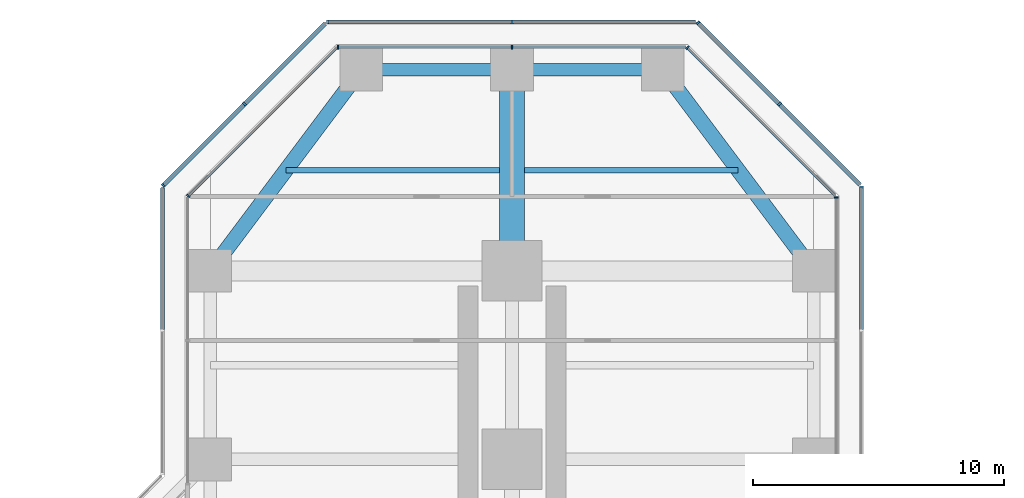
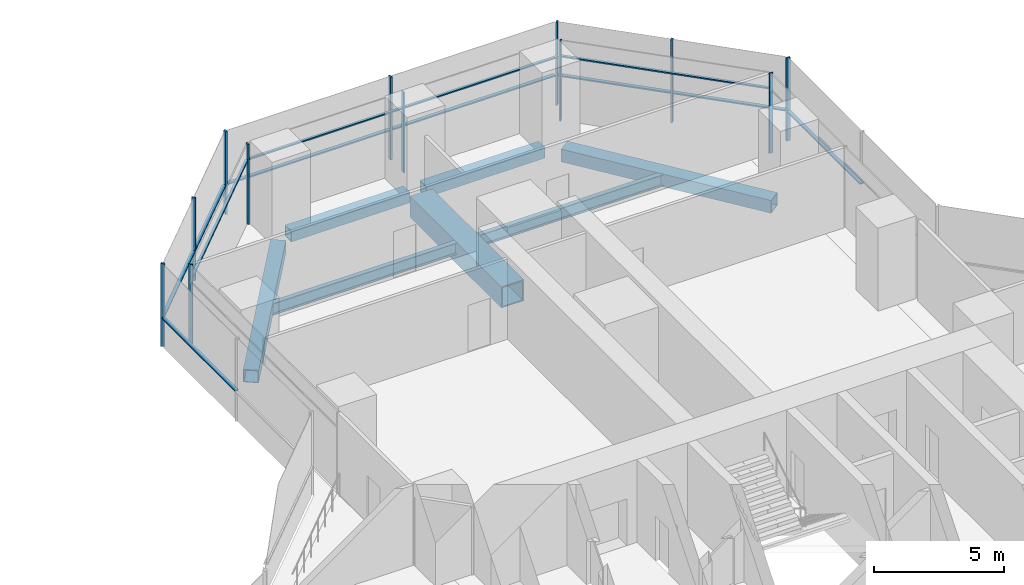
# One storey, part 13 of 22: 24 members, 7 beams, 9 elements without a shape of their own.
"""IFC4 building model written with IfcOpenShell, lengths in metres."""

from ifc_helpers import new_model, si_unit, direction, frame, origin, origin_2d, place, context, subcontext, project, spatial, rectangle, hollow_rectangle, i_section, extrude, material, material_profile, profile_set, type_object, element, aggregate, save


model = new_model("IFC4")

# Units and contexts
model_context = context("Model", 3, precision=1e-05, world=origin(), true_north=direction((0.0, 1.0)))
body_context = subcontext(model_context, "Body", "Model", "MODEL_VIEW")
ifc_project = project(units=[si_unit("LENGTHUNIT", "METRE"), si_unit("AREAUNIT", "SQUARE_METRE"), si_unit("VOLUMEUNIT", "CUBIC_METRE"), si_unit("PLANEANGLEUNIT", "RADIAN"), si_unit("MASSUNIT", "GRAM", prefix="KILO")], contexts=[model_context])

# Site, building, storey
site_placement = place(None, origin())
site = spatial("IfcSite", under=ifc_project, at=site_placement, CompositionType="ELEMENT")
building_placement = place(site_placement, origin())
building = spatial("IfcBuilding", under=site, at=building_placement, Name="Mizan Broadcast Tower", CompositionType="ELEMENT")
storey_placement = place(building_placement, frame((0.0, 0.0, 90.300048828125)))
storey = spatial("IfcBuildingStorey", under=building, at=storey_placement, Name="L19", CompositionType="ELEMENT", Elevation=90.300048828125)

# Beams
ifc_material_1 = material(Name="Steel S355", Category="steel")
ifc_material_profile_1 = material_profile(ifc_material_1, hollow_rectangle(XDim=0.5, YDim=0.5, WallThickness=0.030029296875, at=origin_2d()), Name="BOX 500x500x30")
ifc_profile_set_1 = profile_set([ifc_material_profile_1], Name="Steel S355")
beam_type_1 = type_object("IfcBeamType", Name="EDGE BEAM BOX 500x500x30", PredefinedType="SPANDREL", material=ifc_profile_set_1)
for number, where, z_axis, x_axis, name in (
    (1, (5.639892578125, 35.0, -0.380126953125), (-1.0, 0.0, 0.0), (0.0, -1.0, 0.0), "Edge beam BOX 500x500x30 L19 north arm"),
    (2, (-5.639892578125, 35.0, -0.380126953125), (1.0, 0.0, 0.0), (0.0, 1.0, 0.0), "Edge beam BOX 500x500x30 L19 north arm"),
):
    element("IfcBeam", number, at=place(storey_placement, frame(where, z_axis=z_axis, x_axis=x_axis)), inside=storey, type_object=beam_type_1, Name=name, PredefinedType="SPANDREL", context=body_context, shape_type="SweptSolid", body=[
        extrude(hollow_rectangle(XDim=0.5, YDim=0.5, WallThickness=0.030029296875, at=origin_2d()), origin(), (0.0, 0.0, 1.0), 5.27978515625),
    ])
ifc_material_2 = material(Name="Steel S355", Category="steel")
ifc_material_profile_2 = material_profile(ifc_material_2, hollow_rectangle(XDim=0.60009765625, YDim=0.60009765625, WallThickness=0.030029296875, at=origin_2d()), Name="BOX 600x600x30")
ifc_profile_set_2 = profile_set([ifc_material_profile_2], Name="Steel S355")
beam_type_2 = type_object("IfcBeamType", Name="EDGE BEAM BOX 600x600x30", PredefinedType="SPANDREL", material=ifc_profile_set_2)
for number, where, z_axis, x_axis, name in (
    (3, (11.639892578125, 27.47998046875, -0.429931640625), (-0.599982243973, 0.800013316712, 0.0), (-0.800013316712, -0.599982243973, 0.0), "Edge beam BOX 600x600x30 L19 north arm"),
    (4, (-11.639892578125, 27.47998046875, -0.429931640625), (0.599982243973, 0.800013316712, 0.0), (-0.800013316712, 0.599982243973, 0.0), "Edge beam BOX 600x600x30 L19 north arm"),
):
    element("IfcBeam", number, at=place(storey_placement, frame(where, z_axis=z_axis, x_axis=x_axis)), inside=storey, type_object=beam_type_2, Name=name, PredefinedType="SPANDREL", context=body_context, shape_type="SweptSolid", body=[
        extrude(hollow_rectangle(XDim=0.60009765625, YDim=0.60009765625, WallThickness=0.030029296875, at=origin_2d()), origin(), (0.0, 0.0, 1.0), 8.7998046875),
    ])
ifc_material_3 = material(Name="Steel S460", Category="steel")
ifc_material_profile_3 = material_profile(ifc_material_3, hollow_rectangle(XDim=1.0, YDim=1.0, WallThickness=0.06005859375, at=origin_2d()), Name="BOX 1000x1000x60")
ifc_profile_set_3 = profile_set([ifc_material_profile_3], Name="Steel S460")
beam_type_3 = type_object("IfcBeamType", Name="GIRDER BOX 1000x1000x60", PredefinedType="BEAM", material=ifc_profile_set_3)
beam_placement = place(storey_placement, frame((0.0, 27.47998046875, -0.630126953125), z_axis=(0.0, 1.0, 0.0), x_axis=(-1.0, 0.0, 0.0)))
element("IfcBeam", 5, at=beam_placement, inside=storey, type_object=beam_type_3, Name="Girder BOX 1000x1000x60 L19 north arm", PredefinedType="BEAM", context=body_context, shape_type="SweptSolid", body=[
    extrude(hollow_rectangle(XDim=1.0, YDim=1.0, WallThickness=0.06005859375, at=origin_2d()), origin(), (0.0, 0.0, 1.0), 7.0400390625),
])

# Curtain wall, member
ifc_material_4 = material(Name="Aluminium framed glazing", Category="aluminium")
curtain_wall_type_1 = type_object("IfcCurtainWallType", Name="INNER SKIN LOW ZONE", PredefinedType="USERDEFINED", material=ifc_material_4)
curtain_wall_1_placement = place(storey_placement, origin())
curtain_wall_1 = element("IfcCurtainWall", 6, at=curtain_wall_1_placement, inside=storey, type_object=curtain_wall_type_1, Name="Inner skin low zone L19 N side", ObjectType="INNER SKIN LOW ZONE", PredefinedType="USERDEFINED")
ifc_material_5 = material(Name="Aluminium, pale anodised", Category="aluminium")
ifc_material_profile_4 = material_profile(ifc_material_5, rectangle(XDim=0.159912109375, YDim=0.06005859375, at=origin_2d()), Name="MULLION 160x60")
ifc_profile_set_4 = profile_set([ifc_material_profile_4], Name="Aluminium, pale anodised")
member_type_1 = type_object("IfcMemberType", Name="INNER SKIN MULLION 60x160", PredefinedType="MULLION", material=ifc_profile_set_4)
member_1_placement = place(storey_placement, frame((12.89990234375, 29.928466796875, 0.0), z_axis=(0.0, 0.0, 1.0), x_axis=(-1.0, 0.0, 0.0)))
member_1 = element("IfcMember", 7, at=member_1_placement, type_object=member_type_1, Name="Inner skin low zone L19 N side mullion 3", PredefinedType="MULLION", context=body_context, shape_type="SweptSolid", body=[
    extrude(rectangle(XDim=0.159912109375, YDim=0.06005859375, at=origin_2d()), origin(), (0.0, 0.0, 1.0), 3.77001953125),
])
aggregate(curtain_wall_1, [member_1])

curtain_wall_2_placement = place(storey_placement, origin())
curtain_wall_2 = element("IfcCurtainWall", 8, at=curtain_wall_2_placement, inside=storey, type_object=curtain_wall_type_1, Name="Inner skin low zone L19 N chamfer", ObjectType="INNER SKIN LOW ZONE", PredefinedType="USERDEFINED")
member_2_placement = place(storey_placement, frame((6.979736328125, 35.87890625, 0.0), z_axis=(0.0, 0.0, 1.0), x_axis=(-0.707106781187, -0.707106781187, 0.0)))
member_2 = element("IfcMember", 9, at=member_2_placement, type_object=member_type_1, Name="Inner skin low zone L19 N chamfer mullion 2", PredefinedType="MULLION", context=body_context, shape_type="SweptSolid", body=[
    extrude(rectangle(XDim=0.159912109375, YDim=0.06005859375, at=origin_2d()), origin(), (0.0, 0.0, 1.0), 3.77001953125),
])

# Curtain wall, members
curtain_wall_3_placement = place(storey_placement, origin())
curtain_wall_3 = element("IfcCurtainWall", 10, at=curtain_wall_3_placement, inside=storey, type_object=curtain_wall_type_1, Name="Inner skin low zone L19 N end", ObjectType="INNER SKIN LOW ZONE", PredefinedType="USERDEFINED")
member_3_placement = place(storey_placement, frame((0.0, 35.89990234375, 0.0), z_axis=(0.0, 0.0, 1.0), x_axis=(0.0, -1.0, 0.0)))
member_3 = element("IfcMember", 11, at=member_3_placement, type_object=member_type_1, Name="Inner skin low zone L19 N end mullion 2", PredefinedType="MULLION", context=body_context, shape_type="SweptSolid", body=[
    extrude(rectangle(XDim=0.159912109375, YDim=0.06005859375, at=origin_2d()), origin(), (0.0, 0.0, 1.0), 3.77001953125),
])
member_4_placement = place(storey_placement, frame((-6.928466796875, 35.89990234375, 0.0), z_axis=(0.0, 0.0, 1.0), x_axis=(0.0, -1.0, 0.0)))
member_4 = element("IfcMember", 12, at=member_4_placement, type_object=member_type_1, Name="Inner skin low zone L19 N end mullion 3", PredefinedType="MULLION", context=body_context, shape_type="SweptSolid", body=[
    extrude(rectangle(XDim=0.159912109375, YDim=0.06005859375, at=origin_2d()), origin(), (0.0, 0.0, 1.0), 3.77001953125),
])

# Curtain wall, member
curtain_wall_4_placement = place(storey_placement, origin())
curtain_wall_4 = element("IfcCurtainWall", 13, at=curtain_wall_4_placement, inside=storey, type_object=curtain_wall_type_1, Name="Inner skin low zone L19 N chamfer", ObjectType="INNER SKIN LOW ZONE", PredefinedType="USERDEFINED")
member_5_placement = place(storey_placement, frame((-12.87890625, 29.979736328125, 0.0), z_axis=(0.0, 0.0, 1.0), x_axis=(0.707106781187, -0.707106781187, 0.0)))
member_5 = element("IfcMember", 14, at=member_5_placement, type_object=member_type_1, Name="Inner skin low zone L19 N chamfer mullion 2", PredefinedType="MULLION", context=body_context, shape_type="SweptSolid", body=[
    extrude(rectangle(XDim=0.159912109375, YDim=0.06005859375, at=origin_2d()), origin(), (0.0, 0.0, 1.0), 3.77001953125),
])

# Member
ifc_material_6 = material(Name="Aluminium, pale anodised", Category="aluminium")
ifc_material_profile_5 = material_profile(ifc_material_6, rectangle(XDim=0.1201171875, YDim=0.06005859375, at=origin_2d()), Name="TRANSOM 120x60")
ifc_profile_set_5 = profile_set([ifc_material_profile_5], Name="Aluminium, pale anodised")
member_type_2 = type_object("IfcMemberType", Name="INNER SKIN TRANSOM 60x120", PredefinedType="USERDEFINED", material=ifc_profile_set_5)
member_6_placement = place(storey_placement, frame((12.857666015625, 30.0009765625, 3.030029296875), z_axis=(-0.707106781187, 0.707106781187, 0.0), x_axis=(-0.707106781187, -0.707106781187, 0.0)))
member_6 = element("IfcMember", 15, at=member_6_placement, type_object=member_type_2, Name="Inner skin low zone L19 N chamfer transom 1.1", ObjectType="TRANSOM", PredefinedType="USERDEFINED", context=body_context, shape_type="SweptSolid", body=[
    extrude(rectangle(XDim=0.1201171875, YDim=0.06005859375, at=origin_2d()), origin(), (0.0, 0.0, 1.0), 8.28271484375),
])

aggregate(curtain_wall_2, [member_2, member_6])

member_7_placement = place(storey_placement, frame((6.898681640625, 35.89990234375, 3.030029296875), z_axis=(-1.0, 0.0, 0.0), x_axis=(0.0, -1.0, 0.0)))
member_7 = element("IfcMember", 16, at=member_7_placement, type_object=member_type_2, Name="Inner skin low zone L19 N end transom 1.1", ObjectType="TRANSOM", PredefinedType="USERDEFINED", context=body_context, shape_type="SweptSolid", body=[
    extrude(rectangle(XDim=0.1201171875, YDim=0.06005859375, at=origin_2d()), origin(), (0.0, 0.0, 1.0), 6.86865234375),
])

member_8_placement = place(storey_placement, frame((-0.030029296875, 35.89990234375, 3.030029296875), z_axis=(-1.0, 0.0, 0.0), x_axis=(0.0, -1.0, 0.0)))
member_8 = element("IfcMember", 17, at=member_8_placement, type_object=member_type_2, Name="Inner skin low zone L19 N end transom 2.1", ObjectType="TRANSOM", PredefinedType="USERDEFINED", context=body_context, shape_type="SweptSolid", body=[
    extrude(rectangle(XDim=0.1201171875, YDim=0.06005859375, at=origin_2d()), origin(), (0.0, 0.0, 1.0), 6.86865234375),
])

aggregate(curtain_wall_3, [member_3, member_4, member_7, member_8])

member_9_placement = place(storey_placement, frame((-7.0009765625, 35.857666015625, 3.030029296875), z_axis=(-0.707106781187, -0.707106781187, 0.0), x_axis=(0.707106781187, -0.707106781187, 0.0)))
member_9 = element("IfcMember", 18, at=member_9_placement, type_object=member_type_2, Name="Inner skin low zone L19 N chamfer transom 1.1", ObjectType="TRANSOM", PredefinedType="USERDEFINED", context=body_context, shape_type="SweptSolid", body=[
    extrude(rectangle(XDim=0.1201171875, YDim=0.06005859375, at=origin_2d()), origin(), (0.0, 0.0, 1.0), 8.28271484375),
])

aggregate(curtain_wall_4, [member_5, member_9])

# Curtain wall, member
ifc_material_7 = material(Name="Aluminium framed glazing", Category="aluminium")
curtain_wall_type_2 = type_object("IfcCurtainWallType", Name="OUTER SKIN", PredefinedType="USERDEFINED", material=ifc_material_7)
curtain_wall_5_placement = place(storey_placement, origin())
curtain_wall_5 = element("IfcCurtainWall", 19, at=curtain_wall_5_placement, inside=storey, type_object=curtain_wall_type_2, Name="Outer skin L19 N side", ObjectType="OUTER SKIN", PredefinedType="USERDEFINED")
ifc_material_8 = material(Name="Aluminium, pale anodised", Category="aluminium")
ifc_material_profile_6 = material_profile(ifc_material_8, rectangle(XDim=0.159912109375, YDim=0.080078125, at=origin_2d()), Name="MULLION 160x80")
ifc_profile_set_6 = profile_set([ifc_material_profile_6], Name="Aluminium, pale anodised")
member_type_3 = type_object("IfcMemberType", Name="OUTER SKIN MULLION 80x160", PredefinedType="MULLION", material=ifc_profile_set_6)
member_10_placement = place(storey_placement, frame((13.89990234375, 30.332763671875, 0.0), z_axis=(0.0, 0.0, 1.0), x_axis=(-1.0, 0.0, 0.0)))
member_10 = element("IfcMember", 20, at=member_10_placement, type_object=member_type_3, Name="Outer skin L19 N side mullion 3", PredefinedType="MULLION", context=body_context, shape_type="SweptSolid", body=[
    extrude(rectangle(XDim=0.159912109375, YDim=0.080078125, at=origin_2d()), origin(), (0.0, 0.0, 1.0), 3.89990234375),
])

# Curtain wall, members
curtain_wall_6_placement = place(storey_placement, origin())
curtain_wall_6 = element("IfcCurtainWall", 21, at=curtain_wall_6_placement, inside=storey, type_object=curtain_wall_type_2, Name="Outer skin L19 N chamfer", ObjectType="OUTER SKIN", PredefinedType="USERDEFINED")
member_11_placement = place(storey_placement, frame((10.636474609375, 33.636474609375, 0.0), z_axis=(0.0, 0.0, 1.0), x_axis=(-0.707106781187, -0.707106781187, 0.0)))
member_11 = element("IfcMember", 22, at=member_11_placement, type_object=member_type_3, Name="Outer skin L19 N chamfer mullion 2", PredefinedType="MULLION", context=body_context, shape_type="SweptSolid", body=[
    extrude(rectangle(XDim=0.159912109375, YDim=0.080078125, at=origin_2d()), origin(), (0.0, 0.0, 1.0), 3.89990234375),
])
member_12_placement = place(storey_placement, frame((7.401123046875, 36.871826171875, 0.0), z_axis=(0.0, 0.0, 1.0), x_axis=(-0.707106781187, -0.707106781187, 0.0)))
member_12 = element("IfcMember", 23, at=member_12_placement, type_object=member_type_3, Name="Outer skin L19 N chamfer mullion 3", PredefinedType="MULLION", context=body_context, shape_type="SweptSolid", body=[
    extrude(rectangle(XDim=0.159912109375, YDim=0.080078125, at=origin_2d()), origin(), (0.0, 0.0, 1.0), 3.89990234375),
])

curtain_wall_7_placement = place(storey_placement, origin())
curtain_wall_7 = element("IfcCurtainWall", 24, at=curtain_wall_7_placement, inside=storey, type_object=curtain_wall_type_2, Name="Outer skin L19 N end", ObjectType="OUTER SKIN", PredefinedType="USERDEFINED")
member_13_placement = place(storey_placement, frame((0.0, 36.89990234375, 0.0), z_axis=(0.0, 0.0, 1.0), x_axis=(0.0, -1.0, 0.0)))
member_13 = element("IfcMember", 25, at=member_13_placement, type_object=member_type_3, Name="Outer skin L19 N end mullion 2", PredefinedType="MULLION", context=body_context, shape_type="SweptSolid", body=[
    extrude(rectangle(XDim=0.159912109375, YDim=0.080078125, at=origin_2d()), origin(), (0.0, 0.0, 1.0), 3.89990234375),
])
member_14_placement = place(storey_placement, frame((-7.332763671875, 36.89990234375, 0.0), z_axis=(0.0, 0.0, 1.0), x_axis=(0.0, -1.0, 0.0)))
member_14 = element("IfcMember", 26, at=member_14_placement, type_object=member_type_3, Name="Outer skin L19 N end mullion 3", PredefinedType="MULLION", context=body_context, shape_type="SweptSolid", body=[
    extrude(rectangle(XDim=0.159912109375, YDim=0.080078125, at=origin_2d()), origin(), (0.0, 0.0, 1.0), 3.89990234375),
])

curtain_wall_8_placement = place(storey_placement, origin())
curtain_wall_8 = element("IfcCurtainWall", 27, at=curtain_wall_8_placement, inside=storey, type_object=curtain_wall_type_2, Name="Outer skin L19 N chamfer", ObjectType="OUTER SKIN", PredefinedType="USERDEFINED")
member_15_placement = place(storey_placement, frame((-10.636474609375, 33.636474609375, 0.0), z_axis=(0.0, 0.0, 1.0), x_axis=(0.707106781187, -0.707106781187, 0.0)))
member_15 = element("IfcMember", 28, at=member_15_placement, type_object=member_type_3, Name="Outer skin L19 N chamfer mullion 2", PredefinedType="MULLION", context=body_context, shape_type="SweptSolid", body=[
    extrude(rectangle(XDim=0.159912109375, YDim=0.080078125, at=origin_2d()), origin(), (0.0, 0.0, 1.0), 3.89990234375),
])
member_16_placement = place(storey_placement, frame((-13.871826171875, 30.401123046875, 0.0), z_axis=(0.0, 0.0, 1.0), x_axis=(0.707106781187, -0.707106781187, 0.0)))
member_16 = element("IfcMember", 29, at=member_16_placement, type_object=member_type_3, Name="Outer skin L19 N chamfer mullion 3", PredefinedType="MULLION", context=body_context, shape_type="SweptSolid", body=[
    extrude(rectangle(XDim=0.159912109375, YDim=0.080078125, at=origin_2d()), origin(), (0.0, 0.0, 1.0), 3.89990234375),
])

# Member
ifc_material_9 = material(Name="Aluminium, pale anodised", Category="aluminium")
ifc_material_profile_7 = material_profile(ifc_material_9, rectangle(XDim=0.159912109375, YDim=0.06005859375, at=origin_2d()), Name="TRANSOM 160x60")
ifc_profile_set_7 = profile_set([ifc_material_profile_7], Name="Aluminium, pale anodised")
member_type_4 = type_object("IfcMemberType", Name="OUTER SKIN TRANSOM 60x160", PredefinedType="USERDEFINED", material=ifc_profile_set_7)
member_17_placement = place(storey_placement, frame((13.89990234375, 24.662841796875, 1.39990234375), z_axis=(0.0, 1.0, 0.0), x_axis=(-1.0, 0.0, 0.0)))
member_17 = element("IfcMember", 30, at=member_17_placement, type_object=member_type_4, Name="Outer skin L19 N side transom 2.1", ObjectType="TRANSOM", PredefinedType="USERDEFINED", context=body_context, shape_type="SweptSolid", body=[
    extrude(rectangle(XDim=0.159912109375, YDim=0.06005859375, at=origin_2d()), origin(), (0.0, 0.0, 1.0), 5.6298828125),
])

aggregate(curtain_wall_5, [member_10, member_17])

member_18_placement = place(storey_placement, frame((13.843505859375, 30.429443359375, 1.39990234375), z_axis=(-0.707106781187, 0.707106781187, 0.0), x_axis=(-0.707106781187, -0.707106781187, 0.0)))
member_18 = element("IfcMember", 31, at=member_18_placement, type_object=member_type_4, Name="Outer skin L19 N chamfer transom 1.1", ObjectType="TRANSOM", PredefinedType="USERDEFINED", context=body_context, shape_type="SweptSolid", body=[
    extrude(rectangle(XDim=0.159912109375, YDim=0.06005859375, at=origin_2d()), origin(), (0.0, 0.0, 1.0), 4.495361328125),
])

member_19_placement = place(storey_placement, frame((10.608154296875, 33.664794921875, 1.39990234375), z_axis=(-0.707106781187, 0.707106781187, 0.0), x_axis=(-0.707106781187, -0.707106781187, 0.0)))
member_19 = element("IfcMember", 32, at=member_19_placement, type_object=member_type_4, Name="Outer skin L19 N chamfer transom 2.1", ObjectType="TRANSOM", PredefinedType="USERDEFINED", context=body_context, shape_type="SweptSolid", body=[
    extrude(rectangle(XDim=0.159912109375, YDim=0.06005859375, at=origin_2d()), origin(), (0.0, 0.0, 1.0), 4.495361328125),
])

aggregate(curtain_wall_6, [member_11, member_12, member_18, member_19])

member_20_placement = place(storey_placement, frame((7.292724609375, 36.89990234375, 1.39990234375), z_axis=(-1.0, 0.0, 0.0), x_axis=(0.0, -1.0, 0.0)))
member_20 = element("IfcMember", 33, at=member_20_placement, type_object=member_type_4, Name="Outer skin L19 N end transom 1.1", ObjectType="TRANSOM", PredefinedType="USERDEFINED", context=body_context, shape_type="SweptSolid", body=[
    extrude(rectangle(XDim=0.159912109375, YDim=0.06005859375, at=origin_2d()), origin(), (0.0, 0.0, 1.0), 7.252685546875),
])

member_21_placement = place(storey_placement, frame((-0.0400390625, 36.89990234375, 1.39990234375), z_axis=(-1.0, 0.0, 0.0), x_axis=(0.0, -1.0, 0.0)))
member_21 = element("IfcMember", 34, at=member_21_placement, type_object=member_type_4, Name="Outer skin L19 N end transom 2.1", ObjectType="TRANSOM", PredefinedType="USERDEFINED", context=body_context, shape_type="SweptSolid", body=[
    extrude(rectangle(XDim=0.159912109375, YDim=0.06005859375, at=origin_2d()), origin(), (0.0, 0.0, 1.0), 7.252685546875),
])

aggregate(curtain_wall_7, [member_13, member_14, member_20, member_21])

member_22_placement = place(storey_placement, frame((-7.429443359375, 36.843505859375, 1.39990234375), z_axis=(-0.707106781187, -0.707106781187, 0.0), x_axis=(0.707106781187, -0.707106781187, 0.0)))
member_22 = element("IfcMember", 35, at=member_22_placement, type_object=member_type_4, Name="Outer skin L19 N chamfer transom 1.1", ObjectType="TRANSOM", PredefinedType="USERDEFINED", context=body_context, shape_type="SweptSolid", body=[
    extrude(rectangle(XDim=0.159912109375, YDim=0.06005859375, at=origin_2d()), origin(), (0.0, 0.0, 1.0), 4.495361328125),
])

member_23_placement = place(storey_placement, frame((-10.664794921875, 33.608154296875, 1.39990234375), z_axis=(-0.707106781187, -0.707106781187, 0.0), x_axis=(0.707106781187, -0.707106781187, 0.0)))
member_23 = element("IfcMember", 36, at=member_23_placement, type_object=member_type_4, Name="Outer skin L19 N chamfer transom 2.1", ObjectType="TRANSOM", PredefinedType="USERDEFINED", context=body_context, shape_type="SweptSolid", body=[
    extrude(rectangle(XDim=0.159912109375, YDim=0.06005859375, at=origin_2d()), origin(), (0.0, 0.0, 1.0), 4.495361328125),
])

aggregate(curtain_wall_8, [member_15, member_16, member_22, member_23])

# Curtain wall, member
curtain_wall_9_placement = place(storey_placement, origin())
curtain_wall_9 = element("IfcCurtainWall", 37, at=curtain_wall_9_placement, inside=storey, type_object=curtain_wall_type_2, Name="Outer skin L19 N side", ObjectType="OUTER SKIN", PredefinedType="USERDEFINED")
member_24_placement = place(storey_placement, frame((-13.89990234375, 30.292724609375, 1.39990234375), z_axis=(0.0, -1.0, 0.0), x_axis=(1.0, 0.0, 0.0)))
member_24 = element("IfcMember", 38, at=member_24_placement, type_object=member_type_4, Name="Outer skin L19 N side transom 1.1", ObjectType="TRANSOM", PredefinedType="USERDEFINED", context=body_context, shape_type="SweptSolid", body=[
    extrude(rectangle(XDim=0.159912109375, YDim=0.06005859375, at=origin_2d()), origin(), (0.0, 0.0, 1.0), 5.6298828125),
])
aggregate(curtain_wall_9, [member_24])

# Beams
ifc_material_10 = material(Name="Steel S355", Category="steel")
ifc_material_profile_8 = material_profile(ifc_material_10, i_section(OverallWidth=0.2099609375, OverallDepth=0.550048828125, WebThickness=0.010986328125, FlangeThickness=0.01708984375, FilletRadius=0.02392578125, at=origin_2d()), Name="IPE 550")
ifc_profile_set_8 = profile_set([ifc_material_profile_8], Name="Steel S355")
beam_type_4 = type_object("IfcBeamType", Name="SECONDARY BEAM IPE 550", PredefinedType="JOIST", material=ifc_profile_set_8)
for number, where, z_axis, x_axis, name in (
    (39, (9.0, 31.0, -0.405029296875), (-1.0, 0.0, 0.0), (0.0, -1.0, 0.0), "Secondary beam IPE 550 L19 north arm"),
    (40, (-9.0, 31.0, -0.405029296875), (1.0, 0.0, 0.0), (0.0, 1.0, 0.0), "Secondary beam IPE 550 L19 north arm"),
):
    element("IfcBeam", number, at=place(storey_placement, frame(where, z_axis=z_axis, x_axis=x_axis)), inside=storey, type_object=beam_type_4, Name=name, PredefinedType="JOIST", context=body_context, shape_type="SweptSolid", body=[
        extrude(i_section(OverallWidth=0.2099609375, OverallDepth=0.550048828125, WebThickness=0.010986328125, FlangeThickness=0.01708984375, FilletRadius=0.02392578125, at=origin_2d()), origin(), (0.0, 0.0, 1.0), 8.5),
    ])

save(model, "model.ifc")
